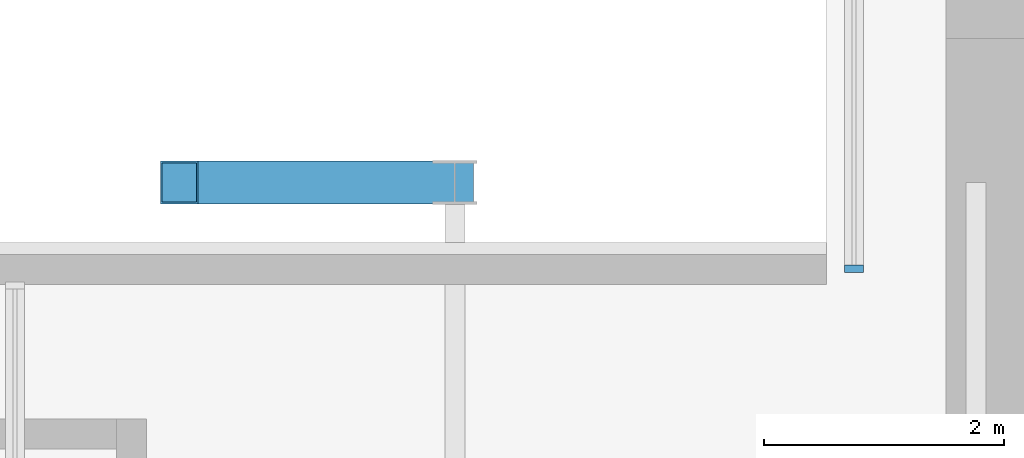
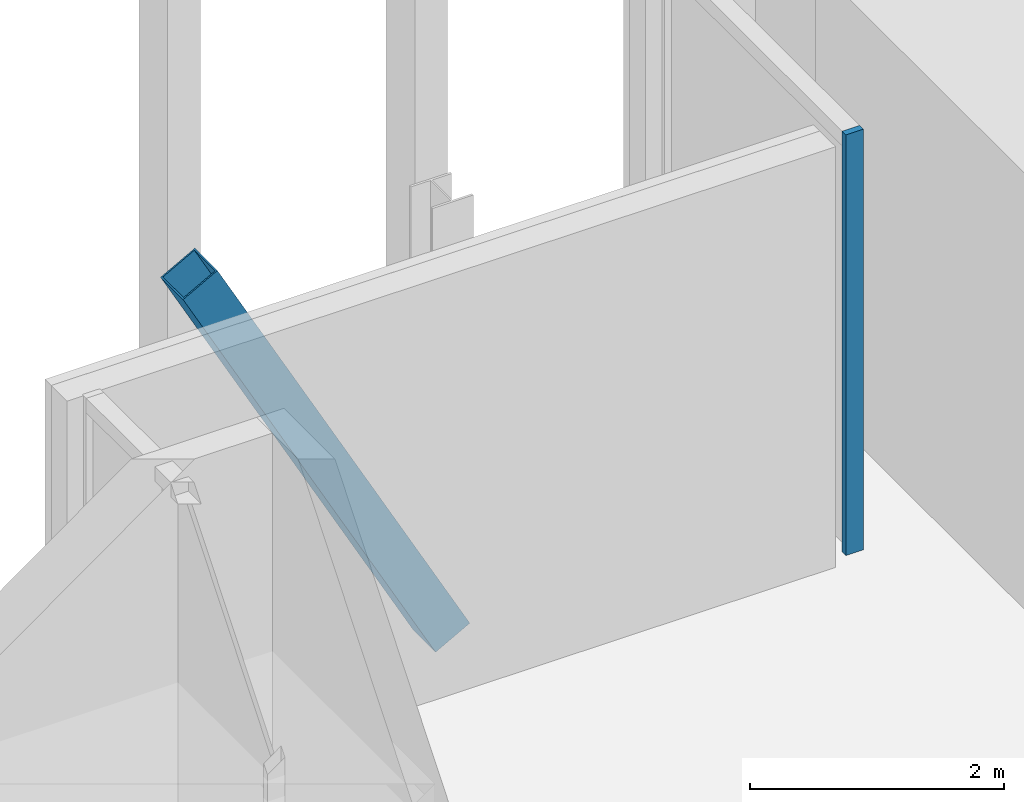
# One storey, part 11 of 28: 2 members, 1 element without a shape of its own.
"""IFC4 building model written with IfcOpenShell, lengths in metres."""

from ifc_helpers import new_model, si_unit, direction, frame, origin, origin_2d, place, context, subcontext, project, spatial, rectangle, hollow_rectangle, extrude, material, material_profile, profile_set, type_object, element, aggregate, save


model = new_model("IFC4")

# Units and contexts
model_context = context("Model", 3, precision=1e-05, world=origin(), true_north=direction((0.0, 1.0)))
body_context = subcontext(model_context, "Body", "Model", "MODEL_VIEW")
ifc_project = project(units=[si_unit("LENGTHUNIT", "METRE"), si_unit("AREAUNIT", "SQUARE_METRE"), si_unit("VOLUMEUNIT", "CUBIC_METRE"), si_unit("PLANEANGLEUNIT", "RADIAN"), si_unit("MASSUNIT", "GRAM", prefix="KILO")], contexts=[model_context])

# Site, building, storey
site_placement = place(None, origin())
site = spatial("IfcSite", under=ifc_project, at=site_placement, CompositionType="ELEMENT")
building_placement = place(site_placement, origin())
building = spatial("IfcBuilding", under=site, at=building_placement, Name="Bicima Exchange Tower", CompositionType="ELEMENT")
storey_placement = place(building_placement, frame((0.0, 0.0, 241.39990234375)))
storey = spatial("IfcBuildingStorey", under=building, at=storey_placement, Name="L54", CompositionType="ELEMENT", Elevation=241.39990234375)

# Curtain wall, member
ifc_material_1 = material(Name="Anodised bronze aluminium", Category="aluminium")
curtain_wall_type = type_object("IfcCurtainWallType", Name="Front glass wall", PredefinedType="NOTDEFINED", material=ifc_material_1)
curtain_wall_placement = place(storey_placement, origin())
curtain_wall = element("IfcCurtainWall", 1, at=curtain_wall_placement, inside=storey, type_object=curtain_wall_type, Name="Front glass wall L54 run 4", PredefinedType="NOTDEFINED")
ifc_material_profile_1 = material_profile(ifc_material_1, rectangle(XDim=0.159912109375, YDim=0.06005859375, at=origin_2d()))
ifc_profile_set_1 = profile_set([ifc_material_profile_1], Name="Anodised bronze aluminium")
member_type_1 = type_object("IfcMemberType", Name="Front glass wall mullion 60 x 160", PredefinedType="MULLION", material=ifc_profile_set_1)
member_1_placement = place(storey_placement, frame((-22.77001953125, -3.1201171875, 0.0), z_axis=(0.0, 0.0, 1.0), x_axis=(1.0, 0.0, 0.0)))
member_1 = element("IfcMember", 2, at=member_1_placement, type_object=member_type_1, Name="Front glass wall mullion 2", PredefinedType="MULLION", context=body_context, shape_type="SweptSolid", body=[
    extrude(rectangle(XDim=0.159912109375, YDim=0.06005859375, at=origin_2d()), origin(), (0.0, 0.0, 1.0), 4.050048828125),
])
aggregate(curtain_wall, [member_1])

# Member
ifc_material_2 = material(Name="Steel ASTM A572 Gr 50", Category="steel")
ifc_material_profile_2 = material_profile(ifc_material_2, hollow_rectangle(XDim=0.355712890625, YDim=0.355712890625, WallThickness=0.0146484375, at=origin_2d()))
ifc_profile_set_2 = profile_set([ifc_material_profile_2], Name="Steel ASTM A572 Gr 50")
member_type_2 = type_object("IfcMemberType", Name="Mega brace HSS14x14x5/8", PredefinedType="BRACE", material=ifc_profile_set_2)
member_2_placement = place(storey_placement, frame((-26.10009765625, -2.39990234375, 0.0), z_axis=(-0.480266062029, 0.0, 0.877122858933), x_axis=(0.0, -1.0, 0.0)))
element("IfcMember", 3, at=member_2_placement, inside=storey, type_object=member_type_2, Name="Mega brace rear", PredefinedType="BRACE", context=body_context, shape_type="SweptSolid", body=[
    extrude(hollow_rectangle(XDim=0.355712890625, YDim=0.355712890625, WallThickness=0.0146484375, at=origin_2d()), origin(), (0.0, 0.0, 1.0), 4.78857421875),
])

save(model, "model.ifc")
